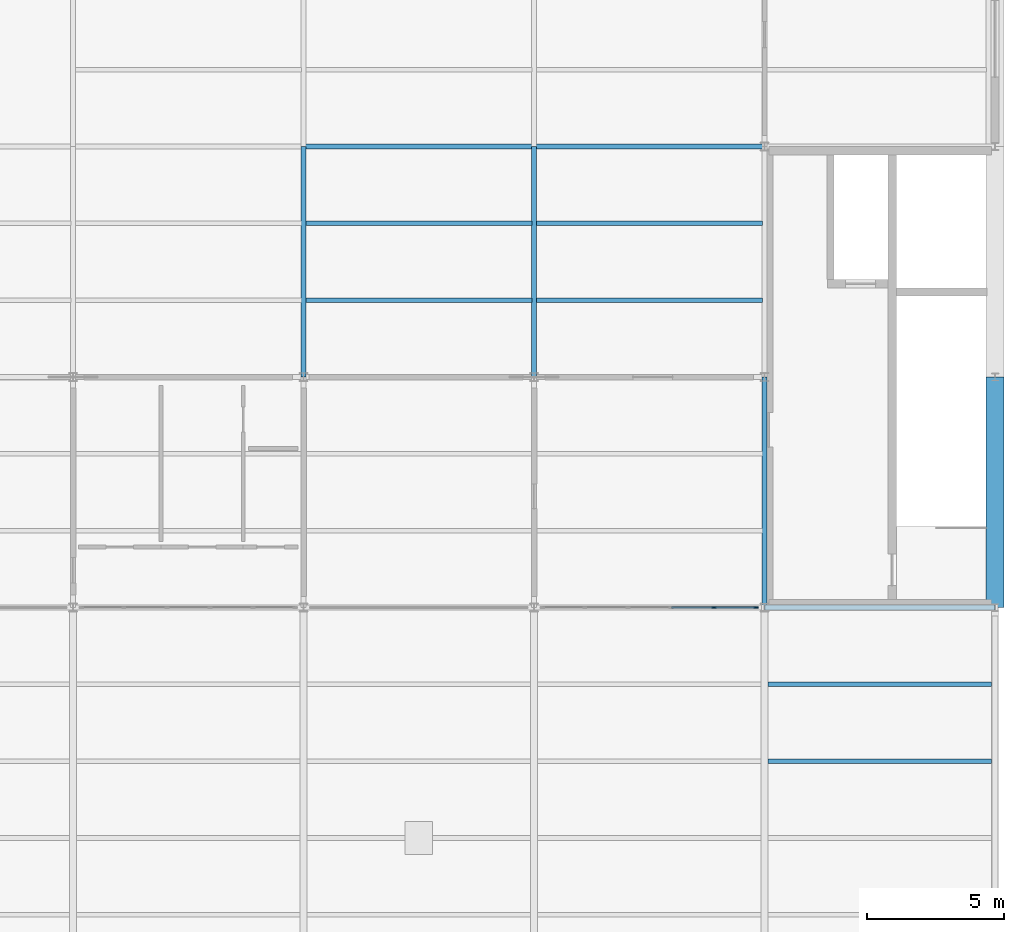
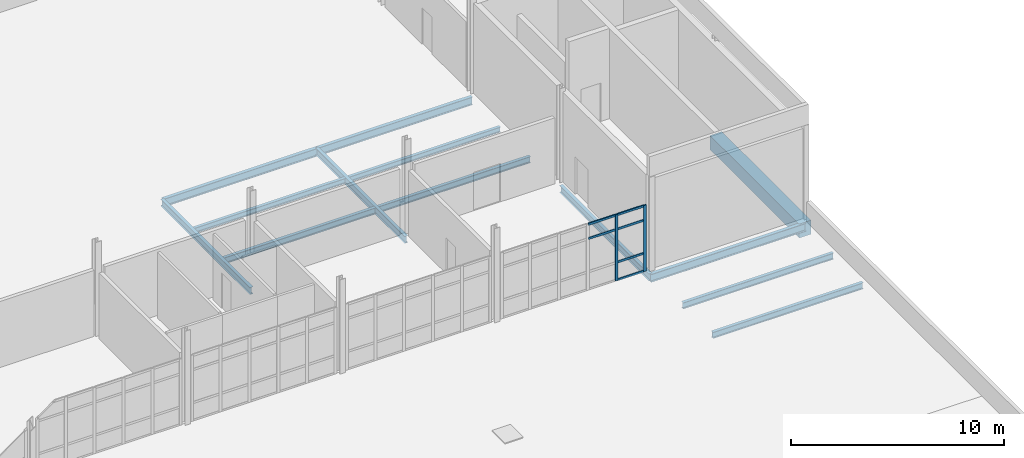
# One storey, part 14 of 33: 13 beams, 8 members, 1 element without a shape of its own.
"""IFC4 building model written with IfcOpenShell, lengths in metres."""

from ifc_helpers import new_model, si_unit, direction, frame, origin, origin_2d, place, context, subcontext, project, spatial, rectangle, i_section, extrude, material, layer, layer_set, material_profile, profile_set, type_object, element, aggregate, save


model = new_model("IFC4")

# Units and contexts
model_context = context("Model", 3, precision=1e-05, world=origin(), true_north=direction((0.0, 1.0)))
body_context = subcontext(model_context, "Body", "Model", "MODEL_VIEW")
ifc_project = project(units=[si_unit("LENGTHUNIT", "METRE"), si_unit("AREAUNIT", "SQUARE_METRE"), si_unit("VOLUMEUNIT", "CUBIC_METRE"), si_unit("PLANEANGLEUNIT", "RADIAN"), si_unit("MASSUNIT", "GRAM", prefix="KILO"), si_unit("THERMODYNAMICTEMPERATUREUNIT", "KELVIN"), si_unit("POWERUNIT", "WATT")], contexts=[model_context])

# Site, building, storey
site_placement = place(None, origin())
site = spatial("IfcSite", under=ifc_project, at=site_placement, CompositionType="ELEMENT")
building_placement = place(site_placement, origin())
building = spatial("IfcBuilding", under=site, at=building_placement, Name="Tembeka Court Mobility Hub", CompositionType="ELEMENT")
storey_placement = place(building_placement, frame((0.0, 0.0, 23.39990234375)))
storey = spatial("IfcBuildingStorey", under=building, at=storey_placement, Name="L06", CompositionType="ELEMENT", Elevation=23.39990234375)

# Beams
ifc_material_1 = material(Name="Steel S355", Category="steel")
ifc_material_profile_1 = material_profile(ifc_material_1, i_section(OverallWidth=0.18994140625, OverallDepth=0.45703125, WebThickness=0.009033203125, FlangeThickness=0.014404296875, FilletRadius=0.01025390625, at=origin_2d()), Name="UKB 457x191x74")
ifc_profile_set_1 = profile_set([ifc_material_profile_1], Name="Steel S355")
beam_type_1 = type_object("IfcBeamType", Name="BM-B01", PredefinedType="BEAM", material=ifc_profile_set_1)
beam_1_placement = place(storey_placement, frame((84.0, 38.39990234375, -0.478515625), z_axis=(1.0, 0.0, 0.0), x_axis=(0.0, 1.0, 0.0)))
element("IfcBeam", 1, at=beam_1_placement, inside=storey, type_object=beam_type_1, Name="Beam B01 (BM-L06-X3121)", PredefinedType="BEAM", context=body_context, shape_type="SweptSolid", body=[
    extrude(i_section(OverallWidth=0.18994140625, OverallDepth=0.45703125, WebThickness=0.009033203125, FlangeThickness=0.014404296875, FilletRadius=0.01025390625, at=origin_2d()), origin(), (0.0, 0.0, 1.0), 8.39990234375),
])
beam_2_placement = place(storey_placement, frame((67.199951171875, 55.199951171875, -0.478515625), z_axis=(1.0, 0.0, 0.0), x_axis=(0.0, 1.0, 0.0)))
element("IfcBeam", 2, at=beam_2_placement, inside=storey, type_object=beam_type_1, Name="Beam B01 (BM-L06-X3139)", PredefinedType="BEAM", context=body_context, shape_type="SweptSolid", body=[
    extrude(i_section(OverallWidth=0.18994140625, OverallDepth=0.45703125, WebThickness=0.009033203125, FlangeThickness=0.014404296875, FilletRadius=0.01025390625, at=origin_2d()), origin(), (0.0, 0.0, 1.0), 8.400146484375),
])
beam_3_placement = place(storey_placement, frame((75.60009765625, 55.199951171875, -0.478515625), z_axis=(1.0, 0.0, 0.0), x_axis=(0.0, 1.0, 0.0)))
element("IfcBeam", 3, at=beam_3_placement, inside=storey, type_object=beam_type_1, Name="Beam B01 (BM-L06-X3140)", PredefinedType="BEAM", context=body_context, shape_type="SweptSolid", body=[
    extrude(i_section(OverallWidth=0.18994140625, OverallDepth=0.45703125, WebThickness=0.009033203125, FlangeThickness=0.014404296875, FilletRadius=0.01025390625, at=origin_2d()), origin(), (0.0, 0.0, 1.0), 8.39990234375),
])
ifc_material_profile_2 = material_profile(ifc_material_1, i_section(OverallWidth=0.177978515625, OverallDepth=0.406005859375, WebThickness=0.0078125, FlangeThickness=0.0126953125, FilletRadius=0.01025390625, at=origin_2d()), Name="UKB 406x178x60")
ifc_profile_set_2 = profile_set([ifc_material_profile_2], Name="Steel S355")
beam_type_2 = type_object("IfcBeamType", Name="BM-B02", PredefinedType="BEAM", material=ifc_profile_set_2)
for number, where, z_axis, x_axis, name in (
    (4, (67.199951171875, 46.800048828125, -0.452880859375), (0.0, 1.0, 0.0), (-1.0, 0.0, 0.0), "Beam B02 (BM-L06-Y3263)"),
    (5, (75.60009765625, 46.800048828125, -0.452880859375), (0.0, 1.0, 0.0), (-1.0, 0.0, 0.0), "Beam B02 (BM-L06-Y3270)"),
):
    element("IfcBeam", number, at=place(storey_placement, frame(where, z_axis=z_axis, x_axis=x_axis)), inside=storey, type_object=beam_type_2, Name=name, PredefinedType="BEAM", context=body_context, shape_type="SweptSolid", body=[
        extrude(i_section(OverallWidth=0.177978515625, OverallDepth=0.406005859375, WebThickness=0.0078125, FlangeThickness=0.0126953125, FilletRadius=0.01025390625, at=origin_2d()), origin(), (0.0, 0.0, 1.0), 8.39990234375),
    ])
beam_4_placement = place(storey_placement, frame((84.0, 38.39990234375, -0.452880859375), z_axis=(0.0, 1.0, 0.0), x_axis=(-1.0, 0.0, 0.0)))
element("IfcBeam", 6, at=beam_4_placement, inside=storey, type_object=beam_type_2, Name="Beam B02 (BM-L06-Y3278)", PredefinedType="BEAM", context=body_context, shape_type="SweptSolid", body=[
    extrude(i_section(OverallWidth=0.177978515625, OverallDepth=0.406005859375, WebThickness=0.0078125, FlangeThickness=0.0126953125, FilletRadius=0.01025390625, at=origin_2d()), origin(), (0.0, 0.0, 1.0), 8.400146484375),
])
ifc_material_profile_3 = material_profile(ifc_material_1, i_section(OverallWidth=0.172119140625, OverallDepth=0.35498046875, WebThickness=0.00732421875, FlangeThickness=0.011474609375, FilletRadius=0.01025390625, at=origin_2d()), Name="UKB 356x171x51")
ifc_profile_set_3 = profile_set([ifc_material_profile_3], Name="Steel S355")
beam_type_3 = type_object("IfcBeamType", Name="BM-J01", PredefinedType="JOIST", material=ifc_profile_set_3)
for number, where, z_axis, x_axis, name in (
    (7, (84.1220703125, 32.800048828125, -0.407470703125), (1.0, 0.0, 0.0), (0.0, 1.0, 0.0), "Beam J01 (JST-L06-3484)"),
    (8, (84.1220703125, 35.60009765625, -0.407470703125), (1.0, 0.0, 0.0), (0.0, 1.0, 0.0), "Beam J01 (JST-L06-3485)"),
):
    element("IfcBeam", number, at=place(storey_placement, frame(where, z_axis=z_axis, x_axis=x_axis)), inside=storey, type_object=beam_type_3, Name=name, PredefinedType="JOIST", context=body_context, shape_type="SweptSolid", body=[
        extrude(i_section(OverallWidth=0.172119140625, OverallDepth=0.35498046875, WebThickness=0.00732421875, FlangeThickness=0.011474609375, FilletRadius=0.01025390625, at=origin_2d()), origin(), (0.0, 0.0, 1.0), 8.156005859375),
    ])
ifc_material_profile_4 = material_profile(ifc_material_1, i_section(OverallWidth=0.1650390625, OverallDepth=0.303955078125, WebThickness=0.006103515625, FlangeThickness=0.01025390625, FilletRadius=0.0087890625, at=origin_2d()), Name="UKB 305x165x40")
ifc_profile_set_4 = profile_set([ifc_material_profile_4], Name="Steel S355")
beam_type_4 = type_object("IfcBeamType", Name="BM-J02", PredefinedType="JOIST", material=ifc_profile_set_4)
beam_5_placement = place(storey_placement, frame((67.283935546875, 52.39990234375, -0.40185546875), z_axis=(1.0, 0.0, 0.0), x_axis=(0.0, 1.0, 0.0)))
element("IfcBeam", 9, at=beam_5_placement, inside=storey, type_object=beam_type_4, Name="Beam J02 (JST-L06-3449)", PredefinedType="JOIST", context=body_context, shape_type="SweptSolid", body=[
    extrude(i_section(OverallWidth=0.1650390625, OverallDepth=0.303955078125, WebThickness=0.006103515625, FlangeThickness=0.01025390625, FilletRadius=0.0087890625, at=origin_2d()), origin(), (0.0, 0.0, 1.0), 8.232177734375),
])
beam_6_placement = place(storey_placement, frame((75.68408203125, 52.39990234375, -0.40185546875), z_axis=(1.0, 0.0, 0.0), x_axis=(0.0, 1.0, 0.0)))
element("IfcBeam", 10, at=beam_6_placement, inside=storey, type_object=beam_type_4, Name="Beam J02 (JST-L06-3469)", PredefinedType="JOIST", context=body_context, shape_type="SweptSolid", body=[
    extrude(i_section(OverallWidth=0.1650390625, OverallDepth=0.303955078125, WebThickness=0.006103515625, FlangeThickness=0.01025390625, FilletRadius=0.0087890625, at=origin_2d()), origin(), (0.0, 0.0, 1.0), 8.23193359375),
])
ifc_material_profile_5 = material_profile(ifc_material_1, i_section(OverallWidth=0.169921875, OverallDepth=0.360107421875, WebThickness=0.008056640625, FlangeThickness=0.0126953125, FilletRadius=0.01806640625, at=origin_2d()), Name="IPE 360")
ifc_profile_set_5 = profile_set([ifc_material_profile_5], Name="Steel S355")
beam_type_5 = type_object("IfcBeamType", Name="BM-J03", PredefinedType="JOIST", material=ifc_profile_set_5)
beam_7_placement = place(storey_placement, frame((67.283935546875, 49.60009765625, -0.429931640625), z_axis=(1.0, 0.0, 0.0), x_axis=(0.0, 1.0, 0.0)))
element("IfcBeam", 11, at=beam_7_placement, inside=storey, type_object=beam_type_5, Name="Beam J03 (JST-L06-3448)", PredefinedType="JOIST", context=body_context, shape_type="SweptSolid", body=[
    extrude(i_section(OverallWidth=0.169921875, OverallDepth=0.360107421875, WebThickness=0.008056640625, FlangeThickness=0.0126953125, FilletRadius=0.01806640625, at=origin_2d()), origin(), (0.0, 0.0, 1.0), 8.232177734375),
])
beam_8_placement = place(storey_placement, frame((75.68408203125, 49.60009765625, -0.429931640625), z_axis=(1.0, 0.0, 0.0), x_axis=(0.0, 1.0, 0.0)))
element("IfcBeam", 12, at=beam_8_placement, inside=storey, type_object=beam_type_5, Name="Beam J03 (JST-L06-3468)", PredefinedType="JOIST", context=body_context, shape_type="SweptSolid", body=[
    extrude(i_section(OverallWidth=0.169921875, OverallDepth=0.360107421875, WebThickness=0.008056640625, FlangeThickness=0.0126953125, FilletRadius=0.01806640625, at=origin_2d()), origin(), (0.0, 0.0, 1.0), 8.23193359375),
])
ifc_material_2 = material(Name="Precast concrete C45/55", Category="concrete")
ifc_material_profile_6 = material_profile(ifc_material_2, rectangle(XDim=0.64990234375, YDim=0.800048828125, at=origin_2d()), Name="PC-SP 650x800")
ifc_profile_set_6 = profile_set([ifc_material_profile_6], Name="Precast concrete C45/55")
beam_type_6 = type_object("IfcBeamType", Name="BM-SP01", PredefinedType="SPANDREL", material=ifc_profile_set_6)
beam_9_placement = place(storey_placement, frame((92.39990234375, 38.39990234375, -0.64990234375), z_axis=(0.0, 1.0, 0.0), x_axis=(-1.0, 0.0, 0.0)))
element("IfcBeam", 13, at=beam_9_placement, inside=storey, type_object=beam_type_6, Name="Beam SP01 (BM-L06-Y3289)", PredefinedType="SPANDREL", context=body_context, shape_type="SweptSolid", body=[
    extrude(rectangle(XDim=0.64990234375, YDim=0.800048828125, at=origin_2d()), origin(), (0.0, 0.0, 1.0), 8.400146484375),
])

# Curtain wall, members
ifc_material_3 = material(Name="Anodised aluminium 6063-T6", Category="aluminium")
ifc_layer = layer(ifc_material_3, 0.159912109375)
ifc_layer_set = layer_set([ifc_layer], Name="Anodised aluminium 6063-T6")
curtain_wall_type = type_object("IfcCurtainWallType", Name="CW-SYS57", PredefinedType="USERDEFINED", material=ifc_layer_set)
curtain_wall_placement = place(storey_placement, origin())
curtain_wall = element("IfcCurtainWall", 14, at=curtain_wall_placement, inside=storey, type_object=curtain_wall_type, Name="Unitised curtain wall CW57 (CW-L06-162)", ObjectType="UNITISED GLAZING", PredefinedType="USERDEFINED")
ifc_material_profile_7 = material_profile(ifc_material_3, rectangle(XDim=0.06494140625, YDim=0.159912109375, at=origin_2d()), Name="ALU-MUL 65x160")
ifc_profile_set_7 = profile_set([ifc_material_profile_7], Name="Anodised aluminium 6063-T6")
member_type_1 = type_object("IfcMemberType", Name="CW-MUL01", PredefinedType="MULLION", material=ifc_profile_set_7)
member_1_placement = place(storey_placement, frame((82.152099609375, 38.39990234375, 0.0), z_axis=(0.0, 0.0, 1.0), x_axis=(0.0, 1.0, 0.0)))
member_1 = element("IfcMember", 15, at=member_1_placement, type_object=member_type_1, Name="CW57 mullion 5", PredefinedType="MULLION", context=body_context, shape_type="SweptSolid", body=[
    extrude(rectangle(XDim=0.06494140625, YDim=0.159912109375, at=origin_2d()), origin(), (0.0, 0.0, 1.0), 3.795166015625),
])
member_2_placement = place(storey_placement, frame((83.6875, 38.39990234375, 0.0), z_axis=(0.0, 0.0, 1.0), x_axis=(0.0, 1.0, 0.0)))
member_2 = element("IfcMember", 16, at=member_2_placement, type_object=member_type_1, Name="CW57 mullion 6", PredefinedType="MULLION", context=body_context, shape_type="SweptSolid", body=[
    extrude(rectangle(XDim=0.06494140625, YDim=0.159912109375, at=origin_2d()), origin(), (0.0, 0.0, 1.0), 3.795166015625),
])
ifc_material_profile_8 = material_profile(ifc_material_3, rectangle(XDim=0.06494140625, YDim=0.1201171875, at=origin_2d()), Name="ALU-TRN 65x120")
ifc_profile_set_8 = profile_set([ifc_material_profile_8], Name="Anodised aluminium 6063-T6")
member_type_2 = type_object("IfcMemberType", Name="CW-TRN01", PredefinedType="USERDEFINED", material=ifc_profile_set_8)
member_3_placement = place(storey_placement, frame((80.616455078125, 38.39990234375, 2.945068359375), z_axis=(1.0, 0.0, 0.0), x_axis=(0.0, 1.0, 0.0)))
member_3 = element("IfcMember", 17, at=member_3_placement, type_object=member_type_2, Name="CW57 transom 4.3", ObjectType="TRANSOM", PredefinedType="USERDEFINED", context=body_context, shape_type="SweptSolid", body=[
    extrude(rectangle(XDim=0.06494140625, YDim=0.1201171875, at=origin_2d()), origin(), (0.0, 0.0, 1.0), 1.5029296875),
])
member_4_placement = place(storey_placement, frame((80.616455078125, 38.39990234375, 3.7626953125), z_axis=(1.0, 0.0, 0.0), x_axis=(0.0, 1.0, 0.0)))
member_4 = element("IfcMember", 18, at=member_4_placement, type_object=member_type_2, Name="CW57 transom 4.4", ObjectType="TRANSOM", PredefinedType="USERDEFINED", context=body_context, shape_type="SweptSolid", body=[
    extrude(rectangle(XDim=0.06494140625, YDim=0.1201171875, at=origin_2d()), origin(), (0.0, 0.0, 1.0), 1.5029296875),
])
member_5_placement = place(storey_placement, frame((82.1845703125, 38.39990234375, 0.03271484375), z_axis=(1.0, 0.0, 0.0), x_axis=(0.0, 1.0, 0.0)))
member_5 = element("IfcMember", 19, at=member_5_placement, type_object=member_type_2, Name="CW57 transom 5.1", ObjectType="TRANSOM", PredefinedType="USERDEFINED", context=body_context, shape_type="SweptSolid", body=[
    extrude(rectangle(XDim=0.06494140625, YDim=0.1201171875, at=origin_2d()), origin(), (0.0, 0.0, 1.0), 1.470458984375),
])
member_6_placement = place(storey_placement, frame((82.1845703125, 38.39990234375, 1.050048828125), z_axis=(1.0, 0.0, 0.0), x_axis=(0.0, 1.0, 0.0)))
member_6 = element("IfcMember", 20, at=member_6_placement, type_object=member_type_2, Name="CW57 transom 5.2", ObjectType="TRANSOM", PredefinedType="USERDEFINED", context=body_context, shape_type="SweptSolid", body=[
    extrude(rectangle(XDim=0.06494140625, YDim=0.1201171875, at=origin_2d()), origin(), (0.0, 0.0, 1.0), 1.470458984375),
])
member_7_placement = place(storey_placement, frame((82.1845703125, 38.39990234375, 2.945068359375), z_axis=(1.0, 0.0, 0.0), x_axis=(0.0, 1.0, 0.0)))
member_7 = element("IfcMember", 21, at=member_7_placement, type_object=member_type_2, Name="CW57 transom 5.3", ObjectType="TRANSOM", PredefinedType="USERDEFINED", context=body_context, shape_type="SweptSolid", body=[
    extrude(rectangle(XDim=0.06494140625, YDim=0.1201171875, at=origin_2d()), origin(), (0.0, 0.0, 1.0), 1.470458984375),
])
member_8_placement = place(storey_placement, frame((82.1845703125, 38.39990234375, 3.7626953125), z_axis=(1.0, 0.0, 0.0), x_axis=(0.0, 1.0, 0.0)))
member_8 = element("IfcMember", 22, at=member_8_placement, type_object=member_type_2, Name="CW57 transom 5.4", ObjectType="TRANSOM", PredefinedType="USERDEFINED", context=body_context, shape_type="SweptSolid", body=[
    extrude(rectangle(XDim=0.06494140625, YDim=0.1201171875, at=origin_2d()), origin(), (0.0, 0.0, 1.0), 1.470458984375),
])
aggregate(curtain_wall, [member_1, member_2, member_3, member_4, member_5, member_6, member_7, member_8])

save(model, "model.ifc")
